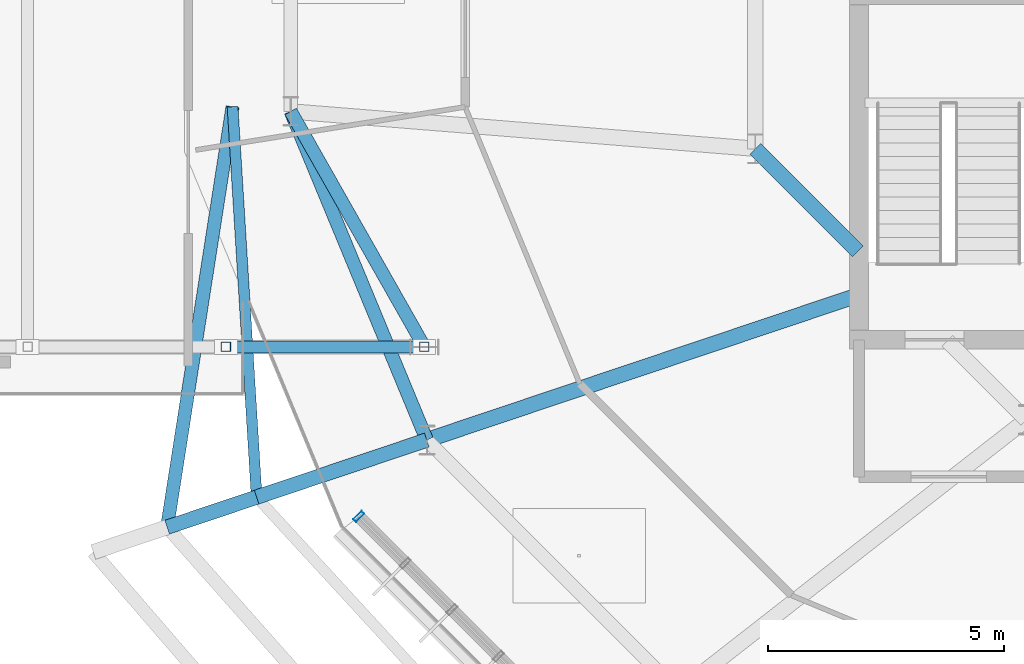
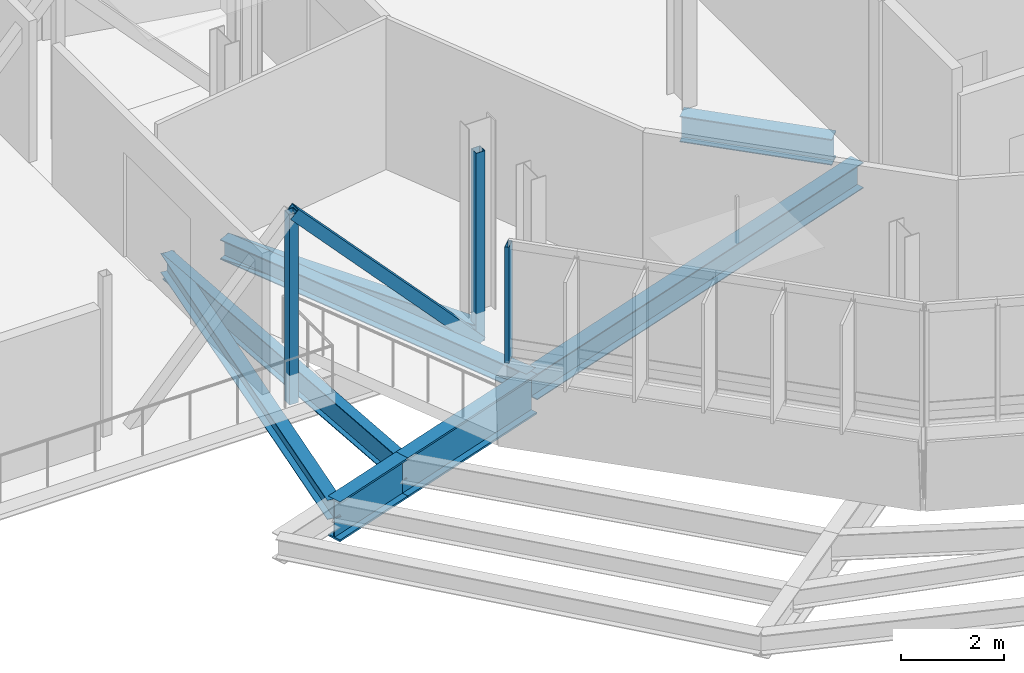
# One storey, part 28 of 139: 8 beams, 4 members, 1 element without a shape of its own.
"""IFC4 building model written with IfcOpenShell, lengths in metres."""

from ifc_helpers import new_model, si_unit, derived_unit, direction, frame, origin, origin_2d, place, context, subcontext, project, spatial, hollow_rectangle, i_section, extrude, material, layer, layer_set, material_profile, profile_set, type_object, element, aggregate, save


model = new_model("IFC4")

# Units and contexts
model_context = context("Model", 3, precision=1e-05, world=origin(), true_north=direction((0.0, 1.0)))
body_context = subcontext(model_context, "Body", "Model", "MODEL_VIEW")
ifc_project = project(units=[si_unit("LENGTHUNIT", "METRE"), si_unit("AREAUNIT", "SQUARE_METRE"), si_unit("VOLUMEUNIT", "CUBIC_METRE"), si_unit("PLANEANGLEUNIT", "RADIAN"), si_unit("MASSUNIT", "GRAM", prefix="KILO"), derived_unit("THERMALTRANSMITTANCEUNIT", [(si_unit("MASSUNIT", "GRAM", prefix="KILO"), 1), (si_unit("TIMEUNIT", "SECOND"), -3), (si_unit("THERMODYNAMICTEMPERATUREUNIT", "KELVIN"), -1)])], contexts=[model_context])

# Site, building, storey
site_placement = place(None, origin())
site = spatial("IfcSite", under=ifc_project, at=site_placement, CompositionType="ELEMENT")
building_placement = place(site_placement, origin())
building = spatial("IfcBuilding", under=site, at=building_placement, Name="Makaiwela Harbour Ferry Terminal", CompositionType="ELEMENT")
storey_placement = place(building_placement, frame((0.0, 0.0, 5.10009765625)))
storey = spatial("IfcBuildingStorey", under=building, at=storey_placement, Name="L01", CompositionType="ELEMENT", Elevation=5.10009765625)

# Curtain wall, member
ifc_material_1 = material(Name="Marine anodised aluminium 6063-T6", Category="aluminium")
ifc_layer = layer(ifc_material_1, 0.199951171875)
ifc_layer_set = layer_set([ifc_layer], Name="Marine anodised aluminium 6063-T6")
curtain_wall_type = type_object("IfcCurtainWallType", Name="ENV-CW-03", PredefinedType="USERDEFINED", material=ifc_layer_set)
curtain_wall_placement = place(storey_placement, origin())
curtain_wall = element("IfcCurtainWall", 1, at=curtain_wall_placement, inside=storey, type_object=curtain_wall_type, Name="Unitised Curtain Wall CWA-016", ObjectType="UNITIZED CURTAIN WALL", PredefinedType="USERDEFINED")
ifc_material_profile_1 = material_profile(ifc_material_1, hollow_rectangle(XDim=0.0849609375, YDim=0.25, WallThickness=0.0048828125, at=origin_2d()), Name="CWM-250X85")
ifc_profile_set_1 = profile_set([ifc_material_profile_1], Name="Marine anodised aluminium 6063-T6")
member_type_1 = type_object("IfcMemberType", Name="CW-MUL-250", PredefinedType="MULLION", material=ifc_profile_set_1)
member_1_placement = place(storey_placement, frame((19.611572265625, 55.758544921875, 1.47998046875), z_axis=(0.0, 0.0, 1.0), x_axis=(-0.707106781187, 0.707106781187, 0.0)))
member_1 = element("IfcMember", 2, at=member_1_placement, type_object=member_type_1, Name="Curtain Wall Mullion CWA-016-1", PredefinedType="MULLION", context=body_context, shape_type="SweptSolid", body=[
    extrude(hollow_rectangle(XDim=0.0849609375, YDim=0.25, WallThickness=0.0048828125, at=origin_2d()), origin(), (0.0, 0.0, 1.0), 2.760009765625),
])
aggregate(curtain_wall, [member_1])

# Beams
ifc_material_2 = material(Name="Steel ASTM A992 Grade 50", Category="steel")
ifc_material_profile_2 = material_profile(ifc_material_2, i_section(OverallWidth=0.280029296875, OverallDepth=0.462890625, WebThickness=0.0107421875, FlangeThickness=0.017333984375, at=origin_2d()), Name="W18X76")
ifc_profile_set_2 = profile_set([ifc_material_profile_2], Name="Steel ASTM A992 Grade 50")
beam_type_1 = type_object("IfcBeamType", Name="STR-BM-W18X76", PredefinedType="BEAM", material=ifc_profile_set_2)
beam_1_placement = place(storey_placement, frame((16.93994140625, 64.433837890625, -0.51171875), z_axis=(-0.153808132942, -0.988100732841, 0.0), x_axis=(0.988100732841, -0.153808132942, 0.0)))
element("IfcBeam", 3, at=beam_1_placement, inside=storey, type_object=beam_type_1, Name="Drum stage2 tie girder 93", PredefinedType="BEAM", context=body_context, shape_type="SweptSolid", body=[
    extrude(i_section(OverallWidth=0.280029296875, OverallDepth=0.462890625, WebThickness=0.0107421875, FlangeThickness=0.017333984375, at=origin_2d()), origin(), (0.0, 0.0, 1.0), 9.009521484375),
])
beam_2_placement = place(storey_placement, frame((21.0, 59.35009765625, -0.51171875), z_axis=(-0.493604648707, 0.869686409446, 0.0), x_axis=(-0.869686409446, -0.493604648707, 0.0)))
element("IfcBeam", 4, at=beam_2_placement, inside=storey, type_object=beam_type_1, Name="West bridge drum tie 118", PredefinedType="BEAM", context=body_context, shape_type="SweptSolid", body=[
    extrude(i_section(OverallWidth=0.280029296875, OverallDepth=0.462890625, WebThickness=0.0107421875, FlangeThickness=0.017333984375, at=origin_2d()), origin(), (0.0, 0.0, 1.0), 5.7314453125),
])

# Member
ifc_material_3 = material(Name="Steel ASTM A500 Grade C", Category="steel")
ifc_material_profile_3 = material_profile(ifc_material_3, hollow_rectangle(XDim=0.25390625, YDim=0.25390625, WallThickness=0.0146484375, at=origin_2d()), Name="HSS10X10X5/8")
ifc_profile_set_3 = profile_set([ifc_material_profile_3], Name="Steel ASTM A500 Grade C")
member_type_2 = type_object("IfcMemberType", Name="STR-BRC-HSS10", PredefinedType="BRACE", material=ifc_profile_set_3)
member_2_placement = place(storey_placement, frame((21.0, 59.35009765625, -0.70556640625), z_axis=(-0.680693892275, 0.0, 0.732567966144), x_axis=(0.0, -1.0, 0.0)))
element("IfcMember", 5, at=member_2_placement, inside=storey, type_object=member_type_2, Name="Structural Member BR-01", PredefinedType="BRACE", context=body_context, shape_type="SweptSolid", body=[
    extrude(hollow_rectangle(XDim=0.25390625, YDim=0.25390625, WallThickness=0.0146484375, at=origin_2d()), origin(), (0.0, 0.0, 1.0), 6.170166015625),
])

# Beams
ifc_material_profile_4 = material_profile(ifc_material_2, i_section(OverallWidth=0.324951171875, OverallDepth=0.615966796875, WebThickness=0.013916015625, FlangeThickness=0.021484375, at=origin_2d()), Name="W24X117")
ifc_profile_set_4 = profile_set([ifc_material_profile_4], Name="Steel ASTM A992 Grade 50")
beam_type_2 = type_object("IfcBeamType", Name="STR-GRD-W24X117", PredefinedType="USERDEFINED", material=ifc_profile_set_4)
beam_3_placement = place(storey_placement, frame((28.0068359375, 63.543701171875, -0.588134765625), z_axis=(0.707106781187, -0.707106781187, 0.0), x_axis=(0.707106781187, 0.707106781187, 0.0)))
element("IfcBeam", 6, at=beam_3_placement, inside=storey, type_object=beam_type_2, Name="Drum inner ring girder 7", ObjectType="GIRDER", PredefinedType="USERDEFINED", context=body_context, shape_type="SweptSolid", body=[
    extrude(i_section(OverallWidth=0.324951171875, OverallDepth=0.615966796875, WebThickness=0.013916015625, FlangeThickness=0.021484375, at=origin_2d()), origin(), (0.0, 0.0, 1.0), 3.0732421875),
])
beam_4_placement = place(storey_placement, frame((30.159912109375, 60.43505859375, -0.588134765625), z_axis=(-0.948000034107, -0.31827022376, 0.0), x_axis=(0.31827022376, -0.948000034107, 0.0)))
element("IfcBeam", 7, at=beam_4_placement, inside=storey, type_object=beam_type_2, Name="Drum radial girder 55", ObjectType="GIRDER", PredefinedType="USERDEFINED", context=body_context, shape_type="SweptSolid", body=[
    extrude(i_section(OverallWidth=0.324951171875, OverallDepth=0.615966796875, WebThickness=0.013916015625, FlangeThickness=0.021484375, at=origin_2d()), origin(), (0.0, 0.0, 1.0), 9.60693359375),
])
ifc_material_profile_5 = material_profile(ifc_material_2, i_section(OverallWidth=0.22900390625, OverallDepth=0.612060546875, WebThickness=0.011962890625, FlangeThickness=0.01953125, at=origin_2d()), Name="W24X84")
ifc_profile_set_5 = profile_set([ifc_material_profile_5], Name="Steel ASTM A992 Grade 50")
beam_type_3 = type_object("IfcBeamType", Name="STR-GRD-W24X84", PredefinedType="USERDEFINED", material=ifc_profile_set_5)
beam_5_placement = place(storey_placement, frame((16.93994140625, 64.433837890625, -0.586181640625), z_axis=(0.061614751094, -0.998100006236, 0.0), x_axis=(0.998100006236, 0.061614751094, 0.0)))
element("IfcBeam", 8, at=beam_5_placement, inside=storey, type_object=beam_type_3, Name="Drum overhang tie girder 92", ObjectType="GIRDER", PredefinedType="USERDEFINED", context=body_context, shape_type="SweptSolid", body=[
    extrude(i_section(OverallWidth=0.22900390625, OverallDepth=0.612060546875, WebThickness=0.011962890625, FlangeThickness=0.01953125, at=origin_2d()), origin(), (0.0, 0.0, 1.0), 8.28125),
])
ifc_material_profile_6 = material_profile(ifc_material_2, i_section(OverallWidth=0.31005859375, OverallDepth=0.949951171875, WebThickness=0.0244140625, FlangeThickness=0.0439453125, at=origin_2d()), Name="W36X256")
ifc_profile_set_6 = profile_set([ifc_material_profile_6], Name="Steel ASTM A992 Grade 50")
beam_type_4 = type_object("IfcBeamType", Name="STR-GRD-W36X256", PredefinedType="USERDEFINED", material=ifc_profile_set_6)
beam_6_placement = place(storey_placement, frame((21.052490234375, 57.37744140625, -0.755126953125), z_axis=(-0.948012977156, -0.318231668984, 0.0), x_axis=(0.318231668984, -0.948012977156, 0.0)))
element("IfcBeam", 9, at=beam_6_placement, inside=storey, type_object=beam_type_4, Name="Drum radial overhang 56", ObjectType="GIRDER", PredefinedType="USERDEFINED", context=body_context, shape_type="SweptSolid", body=[
    extrude(i_section(OverallWidth=0.31005859375, OverallDepth=0.949951171875, WebThickness=0.0244140625, FlangeThickness=0.0439453125, at=origin_2d()), origin(), (0.0, 0.0, 1.0), 3.7998046875),
])
beam_7_placement = place(storey_placement, frame((17.4501953125, 56.168212890625, -0.755126953125), z_axis=(-0.947972931362, -0.318350940638, 0.0), x_axis=(0.318350940638, -0.947972931362, 0.0)))
element("IfcBeam", 10, at=beam_7_placement, inside=storey, type_object=beam_type_4, Name="Drum overhang radial girder 57", ObjectType="GIRDER", PredefinedType="USERDEFINED", context=body_context, shape_type="SweptSolid", body=[
    extrude(i_section(OverallWidth=0.31005859375, OverallDepth=0.949951171875, WebThickness=0.0244140625, FlangeThickness=0.0439453125, at=origin_2d()), origin(), (0.0, 0.0, 1.0), 2.0),
])

# Members
ifc_material_profile_7 = material_profile(ifc_material_3, hollow_rectangle(XDim=0.202880859375, YDim=0.202880859375, WallThickness=0.01171875, at=origin_2d()), Name="HSS8X8X1/2")
ifc_profile_set_7 = profile_set([ifc_material_profile_7], Name="Steel ASTM A500 Grade C")
member_type_3 = type_object("IfcMemberType", Name="STR-PST-HSS8", PredefinedType="POST", material=ifc_profile_set_7)
for number, where, z_axis, x_axis, name in (
    (11, (21.0, 59.35009765625, -0.70556640625), (0.0, 0.0, 1.0), (1.0, 0.0, 0.0), "Structural Member PS-01"),
    (12, (16.800048828125, 59.35009765625, -0.70556640625), (0.0, 0.0, 1.0), (1.0, 0.0, 0.0), "Structural Member PS-01"),
):
    element("IfcMember", number, at=place(storey_placement, frame(where, z_axis=z_axis, x_axis=x_axis)), inside=storey, type_object=member_type_3, Name=name, PredefinedType="POST", context=body_context, shape_type="SweptSolid", body=[
        extrude(hollow_rectangle(XDim=0.202880859375, YDim=0.202880859375, WallThickness=0.01171875, at=origin_2d()), origin(), (0.0, 0.0, 1.0), 4.52001953125),
    ])

# Beam
ifc_material_profile_8 = material_profile(ifc_material_2, i_section(OverallWidth=0.283935546875, OverallDepth=0.47607421875, WebThickness=0.014892578125, FlangeThickness=0.02392578125, at=origin_2d()), Name="W18X106")
ifc_profile_set_8 = profile_set([ifc_material_profile_8], Name="Steel ASTM A992 Grade 50")
beam_type_5 = type_object("IfcBeamType", Name="STR-SPN-W18X106", PredefinedType="SPANDREL", material=ifc_profile_set_8)
beam_8_placement = place(storey_placement, frame((18.1708984375, 64.334716796875, -0.51806640625), z_axis=(0.382660079618, -0.92388920519, 0.0), x_axis=(0.92388920519, 0.382660079618, 0.0)))
element("IfcBeam", 13, at=beam_8_placement, inside=storey, type_object=beam_type_5, Name="Drum column ring girder 20", PredefinedType="SPANDREL", context=body_context, shape_type="SweptSolid", body=[
    extrude(i_section(OverallWidth=0.283935546875, OverallDepth=0.47607421875, WebThickness=0.014892578125, FlangeThickness=0.02392578125, at=origin_2d()), origin(), (0.0, 0.0, 1.0), 7.530517578125),
])

save(model, "model.ifc")
